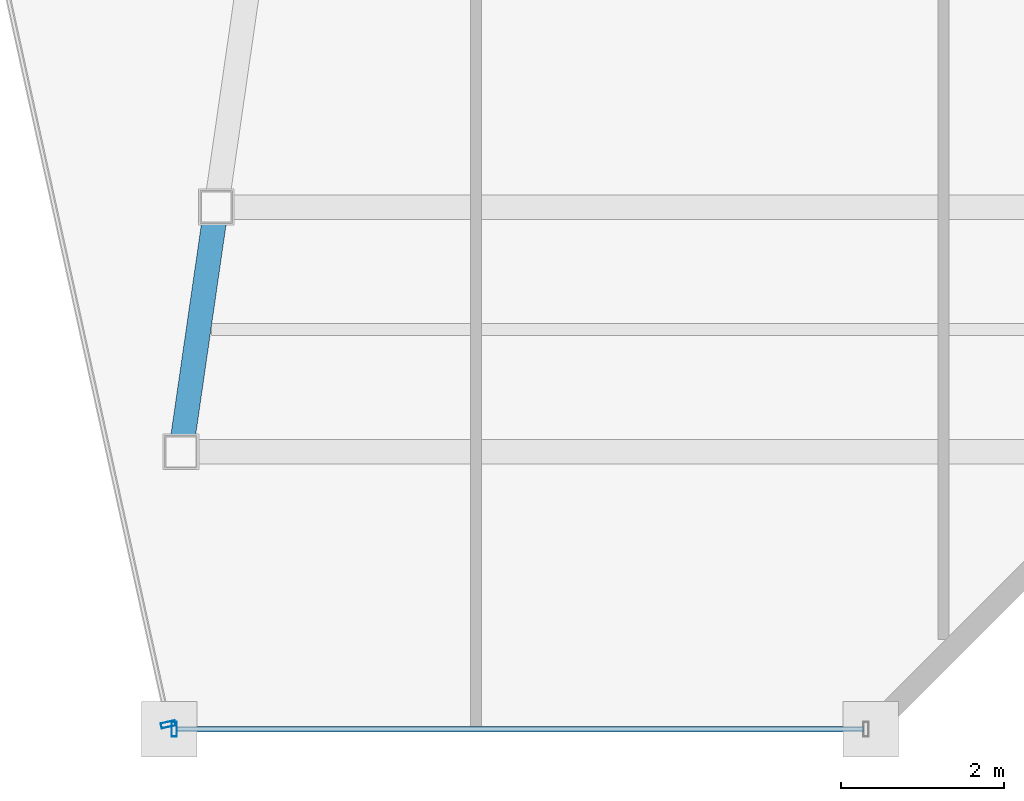
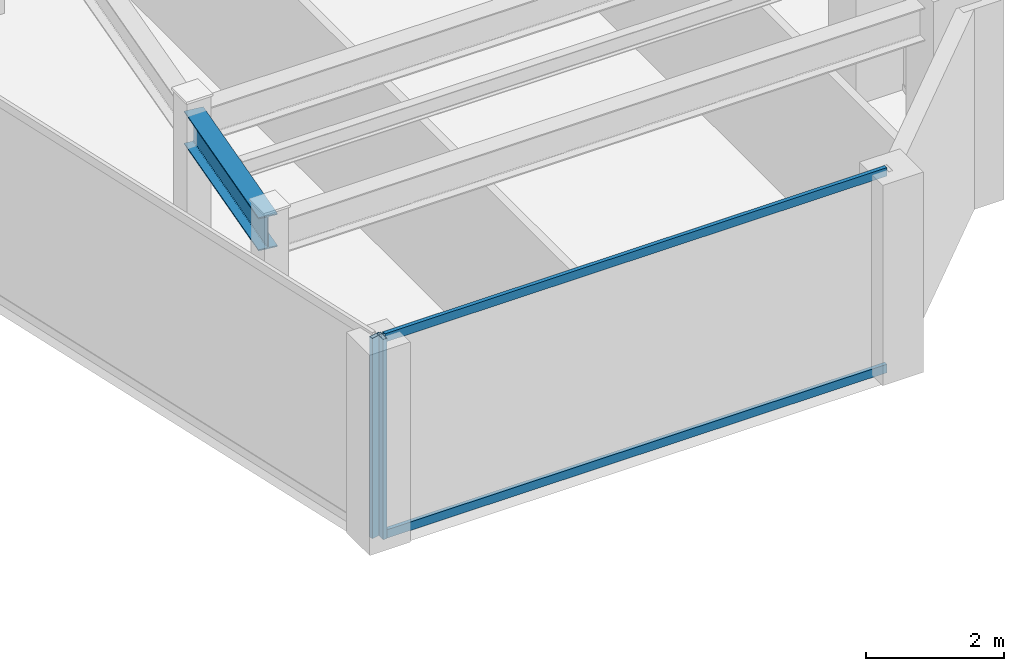
# One storey, part 12 of 33: 4 members, 1 beam, 2 elements without a shape of their own.
"""IFC4 building model written with IfcOpenShell, lengths in metres."""

from ifc_helpers import new_model, si_unit, direction, frame, origin, origin_2d, place, context, subcontext, project, spatial, hollow_rectangle, i_section, extrude, material, material_profile, profile_set, type_object, element, aggregate, save


model = new_model("IFC4")

# Units and contexts
model_context = context("Model", 3, precision=1e-05, world=origin(), true_north=direction((0.0, 1.0)))
body_context = subcontext(model_context, "Body", "Model", "MODEL_VIEW")
ifc_project = project(units=[si_unit("LENGTHUNIT", "METRE"), si_unit("AREAUNIT", "SQUARE_METRE"), si_unit("VOLUMEUNIT", "CUBIC_METRE"), si_unit("PLANEANGLEUNIT", "RADIAN"), si_unit("MASSUNIT", "GRAM", prefix="KILO")], contexts=[model_context])

# Site, building, storey
site_placement = place(None, origin())
site = spatial("IfcSite", under=ifc_project, at=site_placement, CompositionType="ELEMENT")
building_placement = place(site_placement, origin())
building = spatial("IfcBuilding", under=site, at=building_placement, Name="Saevonmaru Cultural Tower", CompositionType="ELEMENT")
storey_placement = place(building_placement, frame((0.0, 0.0, 234.39990234375)))
storey = spatial("IfcBuildingStorey", under=building, at=storey_placement, Name="L54", CompositionType="ELEMENT", Elevation=234.39990234375)

# Beam
ifc_material_1 = material(Name="Steel SM355", Category="steel")
ifc_material_profile_1 = material_profile(ifc_material_1, i_section(OverallWidth=0.300048828125, OverallDepth=0.587890625, WebThickness=0.011962890625, FlangeThickness=0.02001953125, FilletRadius=0.02392578125, at=origin_2d()), Name="H-588x300x12x20")
ifc_profile_set_1 = profile_set([ifc_material_profile_1], Name="Steel SM355")
beam_type = type_object("IfcBeamType", Name="BM-G-H588", PredefinedType="BEAM", material=ifc_profile_set_1)
beam_placement = place(storey_placement, frame((38.802490234375, 21.059326171875, 3.256103515625), z_axis=(0.143229094195, 0.989689560709, 0.0), x_axis=(-0.989689560709, 0.143229094195, 0.0)))
element("IfcBeam", 1, at=beam_placement, inside=storey, type_object=beam_type, Name="L54 East Atrium Girder 1", PredefinedType="BEAM", context=body_context, shape_type="SweptSolid", body=[
    extrude(i_section(OverallWidth=0.300048828125, OverallDepth=0.587890625, WebThickness=0.011962890625, FlangeThickness=0.02001953125, FilletRadius=0.02392578125, at=origin_2d()), origin(), (0.0, 0.0, 1.0), 2.911376953125),
])

# Curtain wall, member
ifc_material_2 = material(Name="Satin Bronze Anodised Aluminium", Category="aluminium")
curtain_wall_type = type_object("IfcCurtainWallType", Name="CW-TYP-B", PredefinedType="NOTDEFINED", material=ifc_material_2)
curtain_wall_1_placement = place(storey_placement, origin())
curtain_wall_1 = element("IfcCurtainWall", 2, at=curtain_wall_1_placement, inside=storey, type_object=curtain_wall_type, Name="L54 Unitised Curtain Wall E5", PredefinedType="NOTDEFINED")
ifc_material_profile_2 = material_profile(ifc_material_2, hollow_rectangle(XDim=0.06494140625, YDim=0.179931640625, WallThickness=0.00390625, at=origin_2d()), Name="ALU-MULL-180x65x4")
ifc_profile_set_2 = profile_set([ifc_material_profile_2], Name="Satin Bronze Anodised Aluminium")
member_type_1 = type_object("IfcMemberType", Name="ML-CW-180x65", PredefinedType="MULLION", material=ifc_profile_set_2)
member_1_placement = place(storey_placement, frame((38.640380859375, 17.65869140625, 0.0), z_axis=(0.0, 0.0, 1.0), x_axis=(0.215413319953, -0.976522965212, 0.0)))
member_1 = element("IfcMember", 3, at=member_1_placement, type_object=member_type_1, Name="CW-TW-L54-E5 mullion 2", PredefinedType="MULLION", context=body_context, shape_type="SweptSolid", body=[
    extrude(hollow_rectangle(XDim=0.06494140625, YDim=0.179931640625, WallThickness=0.00390625, at=origin_2d()), origin(), (0.0, 0.0, 1.0), 3.550048828125),
])
aggregate(curtain_wall_1, [member_1])

# Curtain wall, members
curtain_wall_2_placement = place(storey_placement, origin())
curtain_wall_2 = element("IfcCurtainWall", 4, at=curtain_wall_2_placement, inside=storey, type_object=curtain_wall_type, Name="L54 Unitised Curtain Wall E6", PredefinedType="NOTDEFINED")
member_2_placement = place(storey_placement, frame((38.71337890625, 17.60009765625, 0.0), z_axis=(0.0, 0.0, 1.0), x_axis=(1.0, 0.0, 0.0)))
member_2 = element("IfcMember", 5, at=member_2_placement, type_object=member_type_1, Name="CW-TW-L54-E6 mullion 1", PredefinedType="MULLION", context=body_context, shape_type="SweptSolid", body=[
    extrude(hollow_rectangle(XDim=0.06494140625, YDim=0.179931640625, WallThickness=0.00390625, at=origin_2d()), origin(), (0.0, 0.0, 1.0), 3.550048828125),
])
ifc_material_profile_3 = material_profile(ifc_material_2, hollow_rectangle(XDim=0.06494140625, YDim=0.14990234375, WallThickness=0.00390625, at=origin_2d()), Name="ALU-TRAN-150x65x4")
ifc_profile_set_3 = profile_set([ifc_material_profile_3], Name="Satin Bronze Anodised Aluminium")
member_type_2 = type_object("IfcMemberType", Name="TR-CW-150x65", PredefinedType="USERDEFINED", material=ifc_profile_set_3)
member_3_placement = place(storey_placement, frame((38.745849609375, 17.60009765625, 0.03271484375), z_axis=(1.0, 0.0, 0.0), x_axis=(0.0, 1.0, 0.0)))
member_3 = element("IfcMember", 6, at=member_3_placement, type_object=member_type_2, Name="CW-TW-L54-E6 transom 1.1", ObjectType="TRANSOM", PredefinedType="USERDEFINED", context=body_context, shape_type="SweptSolid", body=[
    extrude(hollow_rectangle(XDim=0.06494140625, YDim=0.14990234375, WallThickness=0.00390625, at=origin_2d()), origin(), (0.0, 0.0, 1.0), 8.4150390625),
])
member_4_placement = place(storey_placement, frame((38.745849609375, 17.60009765625, 3.517578125), z_axis=(1.0, 0.0, 0.0), x_axis=(0.0, 1.0, 0.0)))
member_4 = element("IfcMember", 7, at=member_4_placement, type_object=member_type_2, Name="CW-TW-L54-E6 transom 1.2", ObjectType="TRANSOM", PredefinedType="USERDEFINED", context=body_context, shape_type="SweptSolid", body=[
    extrude(hollow_rectangle(XDim=0.06494140625, YDim=0.14990234375, WallThickness=0.00390625, at=origin_2d()), origin(), (0.0, 0.0, 1.0), 8.4150390625),
])
aggregate(curtain_wall_2, [member_2, member_3, member_4])

save(model, "model.ifc")
